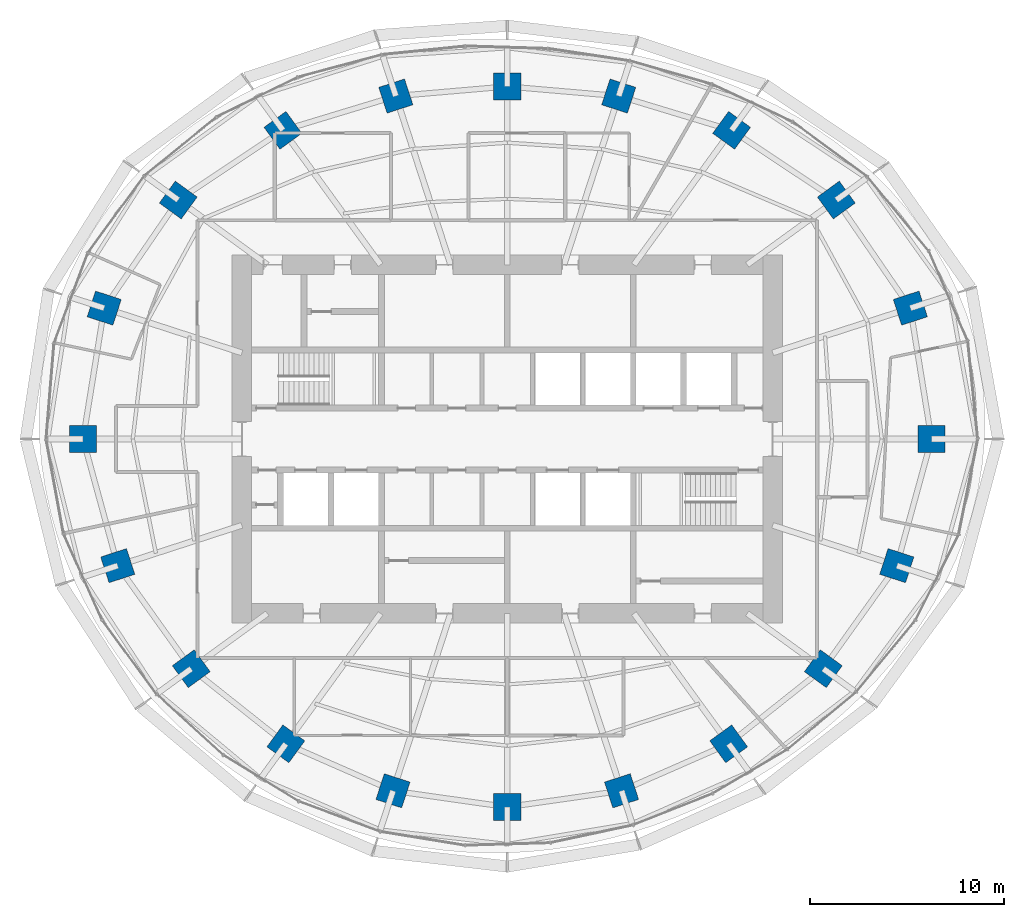
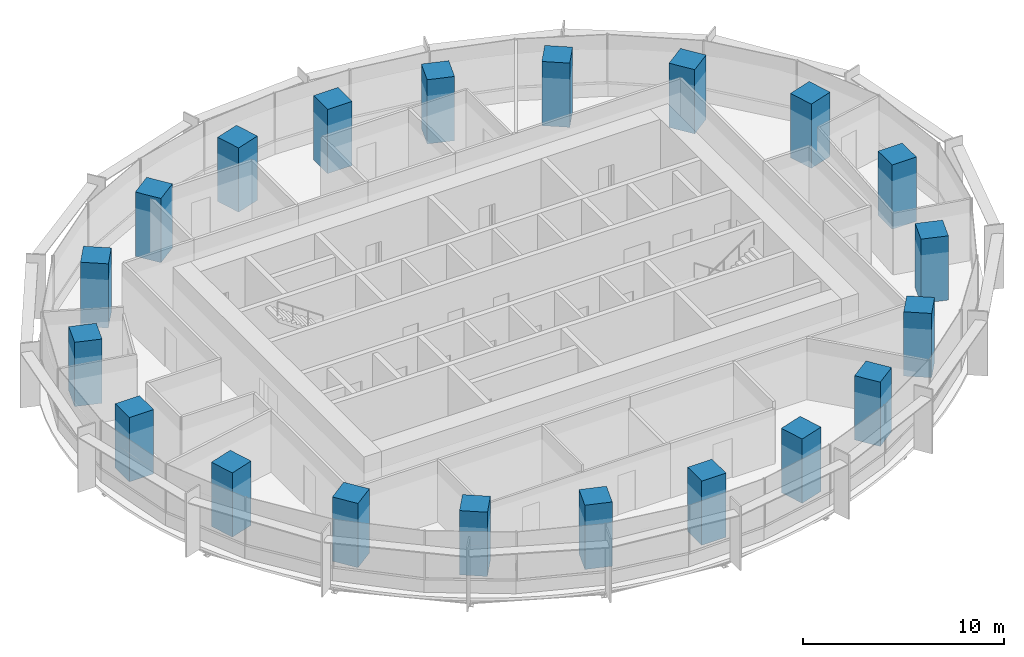
# One storey, part 1 of 14: 20 columns.
"""IFC4 building model written with IfcOpenShell, lengths in metres."""

from ifc_helpers import new_model, si_unit, direction, frame, origin, origin_2d, place, context, subcontext, project, spatial, rectangle, extrude, material, material_profile, profile_set, type_object, element, save


model = new_model("IFC4")

# Units and contexts
model_context = context("Model", 3, precision=1e-05, world=origin(), true_north=direction((0.0, 1.0)))
body_context = subcontext(model_context, "Body", "Model", "MODEL_VIEW")
ifc_project = project(units=[si_unit("LENGTHUNIT", "METRE"), si_unit("AREAUNIT", "SQUARE_METRE"), si_unit("VOLUMEUNIT", "CUBIC_METRE"), si_unit("PLANEANGLEUNIT", "RADIAN"), si_unit("MASSUNIT", "GRAM", prefix="KILO")], contexts=[model_context])

# Site, building, storey
site_placement = place(None, origin())
site = spatial("IfcSite", under=ifc_project, at=site_placement, CompositionType="ELEMENT")
building_placement = place(site_placement, origin())
building = spatial("IfcBuilding", under=site, at=building_placement, Name="Marramba Exchange Tower", CompositionType="ELEMENT")
storey_placement = place(building_placement, frame((0.0, 0.0, 203.300048828125)))
storey = spatial("IfcBuildingStorey", under=building, at=storey_placement, Name="L49", CompositionType="ELEMENT", Elevation=203.300048828125)

# Columns
ifc_material = material(Name="Concrete N50", Category="concrete")
ifc_material_profile = material_profile(ifc_material, rectangle(XDim=1.39990234375, YDim=1.39990234375, at=origin_2d()), Name="RC 1400x1400")
ifc_profile_set = profile_set([ifc_material_profile], Name="Concrete N50")
column_type = type_object("IfcColumnType", Name="Perimeter column RC 1400x1400 N50", PredefinedType="COLUMN", material=ifc_profile_set)
for number, where, z_axis, x_axis, name in (
    (1, (21.89990234375, 0.0, 0.0), (0.0, 0.0, 1.0), (1.0, 0.0, 0.0), "Column TC01 L49"),
    (2, (20.808349609375, 6.760986328125, 0.0), (0.0, 0.0, 1.0), (0.951056516295, 0.309016994375, 0.0), "Column TC02 L49"),
    (3, (16.98583984375, 12.3408203125, 0.0), (0.0, 0.0, 1.0), (0.809016994375, 0.587785252292, 0.0), "Column TC03 L49"),
    (4, (11.581298828125, 15.9404296875, 0.0), (0.0, 0.0, 1.0), (0.587785252292, 0.809016994375, 0.0), "Column TC04 L49"),
    (5, (5.75390625, 17.70849609375, 0.0), (0.0, 0.0, 1.0), (0.309016994375, 0.951056516295, 0.0), "Column TC05 L49"),
    (6, (0.0, 18.2041015625, 0.0), (0.0, 0.0, 1.0), (0.0, 1.0, 0.0), "Column TC06 L49"),
    (7, (-5.75390625, 17.70849609375, 0.0), (0.0, 0.0, 1.0), (-0.309016994375, 0.951056516295, 0.0), "Column TC07 L49"),
    (8, (-11.581298828125, 15.9404296875, 0.0), (0.0, 0.0, 1.0), (-0.587785252292, 0.809016994375, 0.0), "Column TC08 L49"),
    (9, (-16.98583984375, 12.3408203125, 0.0), (0.0, 0.0, 1.0), (-0.809016994375, 0.587785252292, 0.0), "Column TC09 L49"),
    (10, (-20.808349609375, 6.760986328125, 0.0), (0.0, 0.0, 1.0), (-0.951056516295, 0.309016994375, 0.0), "Column TC10 L49"),
    (11, (-21.89990234375, 0.0, 0.0), (0.0, 0.0, 1.0), (-1.0, 0.0, 0.0), "Column TC11 L49"),
    (12, (-20.109375, -6.533935546875, 0.0), (0.0, 0.0, 1.0), (-0.951056516295, -0.309016994375, 0.0), "Column TC12 L49"),
    (13, (-16.3154296875, -11.853759765625, 0.0), (0.0, 0.0, 1.0), (-0.809016994375, -0.587785252292, 0.0), "Column TC13 L49"),
    (14, (-11.430419921875, -15.732666015625, 0.0), (0.0, 0.0, 1.0), (-0.587785252292, -0.809016994375, 0.0), "Column TC14 L49"),
    (15, (-5.899658203125, -18.156982421875, 0.0), (0.0, 0.0, 1.0), (-0.309016994375, -0.951056516295, 0.0), "Column TC15 L49"),
    (16, (0.0, -18.99609375, 0.0), (0.0, 0.0, 1.0), (0.0, -1.0, 0.0), "Column TC16 L49"),
    (17, (5.899658203125, -18.156982421875, 0.0), (0.0, 0.0, 1.0), (0.309016994375, -0.951056516295, 0.0), "Column TC17 L49"),
    (18, (11.430419921875, -15.732666015625, 0.0), (0.0, 0.0, 1.0), (0.587785252292, -0.809016994375, 0.0), "Column TC18 L49"),
    (19, (16.3154296875, -11.853759765625, 0.0), (0.0, 0.0, 1.0), (0.809016994375, -0.587785252292, 0.0), "Column TC19 L49"),
    (20, (20.109375, -6.533935546875, 0.0), (0.0, 0.0, 1.0), (0.951056516295, -0.309016994375, 0.0), "Column TC20 L49"),
):
    element("IfcColumn", number, at=place(storey_placement, frame(where, z_axis=z_axis, x_axis=x_axis)), inside=storey, type_object=column_type, Name=name, PredefinedType="COLUMN", context=body_context, shape_type="SweptSolid", body=[
        extrude(rectangle(XDim=1.39990234375, YDim=1.39990234375, at=origin_2d()), origin(), (0.0, 0.0, 1.0), 3.89990234375),
    ])

save(model, "model.ifc")
